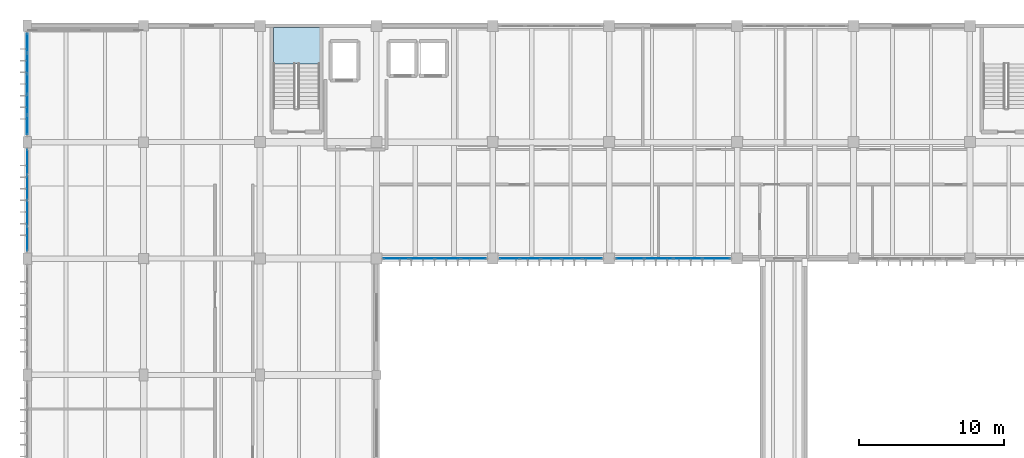
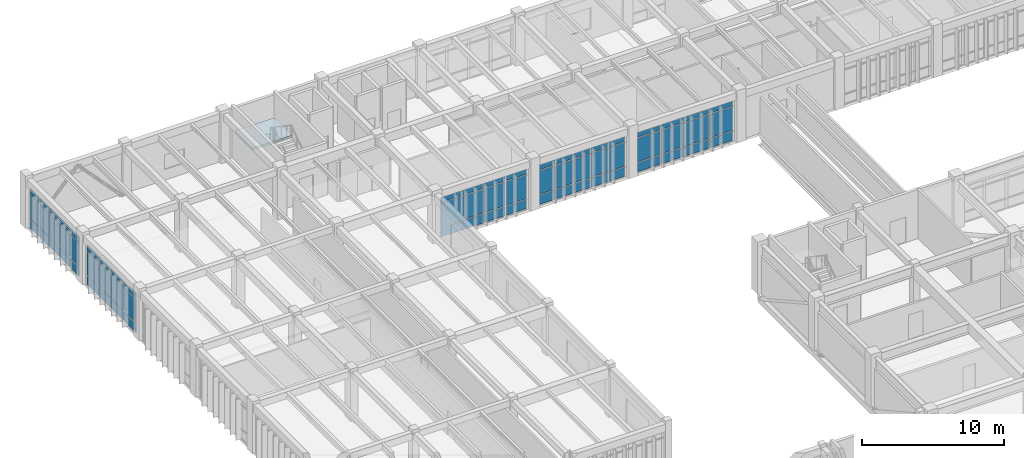
# One storey, part 40 of 79: 66 plates, 1 slab, 6 elements without a shape of their own.
"""IFC4 building model written with IfcOpenShell, lengths in metres."""

from ifc_helpers import new_model, si_unit, direction, frame, origin, origin_2d, place, context, subcontext, project, spatial, polyline, rectangle, outline, extrude, material, layer, layer_set, type_object, element, aggregate, save


model = new_model("IFC4")

# Units and contexts
model_context = context("Model", 3, precision=1e-05, world=origin(), true_north=direction((0.0, 1.0)))
body_context = subcontext(model_context, "Body", "Model", "MODEL_VIEW")
ifc_project = project(units=[si_unit("LENGTHUNIT", "METRE"), si_unit("AREAUNIT", "SQUARE_METRE"), si_unit("VOLUMEUNIT", "CUBIC_METRE"), si_unit("PLANEANGLEUNIT", "RADIAN"), si_unit("MASSUNIT", "GRAM", prefix="KILO")], contexts=[model_context])

# Site, building, storey
site_placement = place(None, origin())
site = spatial("IfcSite", under=ifc_project, at=site_placement, CompositionType="ELEMENT")
building_placement = place(site_placement, origin())
building = spatial("IfcBuilding", under=site, at=building_placement, Name="Tlaxcora Railside Police Headquarters", CompositionType="ELEMENT")
storey_placement = place(building_placement, frame((0.0, 0.0, 9.0)))
storey = spatial("IfcBuildingStorey", under=building, at=storey_placement, Name="L02", CompositionType="ELEMENT", Elevation=9.0)

# Curtain wall, plates
ifc_material_1 = material(Name="Thermally broken low-E insulated glazing", Category="glass")
curtain_wall_type_1 = type_object("IfcCurtainWallType", Name="Unitised Curtain Wall Assembly CW-23", PredefinedType="NOTDEFINED", material=ifc_material_1)
curtain_wall_1_placement = place(storey_placement, origin())
curtain_wall_1 = element("IfcCurtainWall", 1, at=curtain_wall_1_placement, inside=storey, type_object=curtain_wall_type_1, Name="V5 L02 curtain wall 64", PredefinedType="NOTDEFINED")
ifc_layer_1 = layer(ifc_material_1, 0.0400390625, Name="Thermally broken low-E insulated glazing")
ifc_layer_set_1 = layer_set([ifc_layer_1], Name="Thermally broken low-E insulated glazing")
plate_type_1 = type_object("IfcPlateType", Name="Curtain Wall Infill Panel CW-17", PredefinedType="CURTAIN_PANEL", material=ifc_layer_set_1)
plate_1_placement = place(storey_placement, frame((5.199951171875, 91.6201171875, 0.080078125), z_axis=(0.0, 0.0, 1.0), x_axis=(0.0, -1.0, 0.0)))
plate_1 = element("IfcPlate", 2, at=plate_1_placement, type_object=plate_type_1, Name="CW panel 1.1", PredefinedType="CURTAIN_PANEL", context=body_context, shape_type="SweptSolid", body=[
    extrude(rectangle(XDim=1.300048828125, YDim=0.0400390625, at=origin_2d()), origin(), (0.0, 0.0, 1.0), 0.780029296875),
])
plate_2_placement = place(storey_placement, frame((5.199951171875, 91.6201171875, 0.93994140625), z_axis=(0.0, 0.0, 1.0), x_axis=(0.0, -1.0, 0.0)))
plate_2 = element("IfcPlate", 3, at=plate_2_placement, type_object=plate_type_1, Name="CW panel 1.2", PredefinedType="CURTAIN_PANEL", context=body_context, shape_type="SweptSolid", body=[
    extrude(rectangle(XDim=1.300048828125, YDim=0.0400390625, at=origin_2d()), origin(), (0.0, 0.0, 1.0), 2.0400390625),
])
plate_3_placement = place(storey_placement, frame((5.199951171875, 91.6201171875, 3.06005859375), z_axis=(0.0, 0.0, 1.0), x_axis=(0.0, -1.0, 0.0)))
plate_3 = element("IfcPlate", 4, at=plate_3_placement, type_object=plate_type_1, Name="CW panel 1.3", PredefinedType="CURTAIN_PANEL", context=body_context, shape_type="SweptSolid", body=[
    extrude(rectangle(XDim=1.300048828125, YDim=0.0400390625, at=origin_2d()), origin(), (0.0, 0.0, 1.0), 0.409912109375),
])
plate_4_placement = place(storey_placement, frame((5.199951171875, 90.219970703125, 0.080078125), z_axis=(0.0, 0.0, 1.0), x_axis=(0.0, -1.0, 0.0)))
plate_4 = element("IfcPlate", 5, at=plate_4_placement, type_object=plate_type_1, Name="CW panel 2.1", PredefinedType="CURTAIN_PANEL", context=body_context, shape_type="SweptSolid", body=[
    extrude(rectangle(XDim=1.340087890625, YDim=0.0400390625, at=origin_2d()), origin(), (0.0, 0.0, 1.0), 0.780029296875),
])
plate_5_placement = place(storey_placement, frame((5.199951171875, 90.219970703125, 0.93994140625), z_axis=(0.0, 0.0, 1.0), x_axis=(0.0, -1.0, 0.0)))
plate_5 = element("IfcPlate", 6, at=plate_5_placement, type_object=plate_type_1, Name="CW panel 2.2", PredefinedType="CURTAIN_PANEL", context=body_context, shape_type="SweptSolid", body=[
    extrude(rectangle(XDim=1.340087890625, YDim=0.0400390625, at=origin_2d()), origin(), (0.0, 0.0, 1.0), 2.0400390625),
])
plate_6_placement = place(storey_placement, frame((5.199951171875, 90.219970703125, 3.06005859375), z_axis=(0.0, 0.0, 1.0), x_axis=(0.0, -1.0, 0.0)))
plate_6 = element("IfcPlate", 7, at=plate_6_placement, type_object=plate_type_1, Name="CW panel 2.3", PredefinedType="CURTAIN_PANEL", context=body_context, shape_type="SweptSolid", body=[
    extrude(rectangle(XDim=1.340087890625, YDim=0.0400390625, at=origin_2d()), origin(), (0.0, 0.0, 1.0), 0.409912109375),
])
plate_7_placement = place(storey_placement, frame((5.199951171875, 88.800048828125, 0.080078125), z_axis=(0.0, 0.0, 1.0), x_axis=(0.0, -1.0, 0.0)))
plate_7 = element("IfcPlate", 8, at=plate_7_placement, type_object=plate_type_1, Name="CW panel 3.1", PredefinedType="CURTAIN_PANEL", context=body_context, shape_type="SweptSolid", body=[
    extrude(rectangle(XDim=1.340087890625, YDim=0.0400390625, at=origin_2d()), origin(), (0.0, 0.0, 1.0), 0.780029296875),
])
plate_8_placement = place(storey_placement, frame((5.199951171875, 88.800048828125, 0.93994140625), z_axis=(0.0, 0.0, 1.0), x_axis=(0.0, -1.0, 0.0)))
plate_8 = element("IfcPlate", 9, at=plate_8_placement, type_object=plate_type_1, Name="CW panel 3.2", PredefinedType="CURTAIN_PANEL", context=body_context, shape_type="SweptSolid", body=[
    extrude(rectangle(XDim=1.340087890625, YDim=0.0400390625, at=origin_2d()), origin(), (0.0, 0.0, 1.0), 2.0400390625),
])
plate_9_placement = place(storey_placement, frame((5.199951171875, 88.800048828125, 3.06005859375), z_axis=(0.0, 0.0, 1.0), x_axis=(0.0, -1.0, 0.0)))
plate_9 = element("IfcPlate", 10, at=plate_9_placement, type_object=plate_type_1, Name="CW panel 3.3", PredefinedType="CURTAIN_PANEL", context=body_context, shape_type="SweptSolid", body=[
    extrude(rectangle(XDim=1.340087890625, YDim=0.0400390625, at=origin_2d()), origin(), (0.0, 0.0, 1.0), 0.409912109375),
])
plate_10_placement = place(storey_placement, frame((5.199951171875, 87.3798828125, 0.080078125), z_axis=(0.0, 0.0, 1.0), x_axis=(0.0, -1.0, 0.0)))
plate_10 = element("IfcPlate", 11, at=plate_10_placement, type_object=plate_type_1, Name="CW panel 4.1", PredefinedType="CURTAIN_PANEL", context=body_context, shape_type="SweptSolid", body=[
    extrude(rectangle(XDim=1.340087890625, YDim=0.0400390625, at=origin_2d()), origin(), (0.0, 0.0, 1.0), 0.780029296875),
])
plate_11_placement = place(storey_placement, frame((5.199951171875, 87.3798828125, 0.93994140625), z_axis=(0.0, 0.0, 1.0), x_axis=(0.0, -1.0, 0.0)))
plate_11 = element("IfcPlate", 12, at=plate_11_placement, type_object=plate_type_1, Name="CW panel 4.2", PredefinedType="CURTAIN_PANEL", context=body_context, shape_type="SweptSolid", body=[
    extrude(rectangle(XDim=1.340087890625, YDim=0.0400390625, at=origin_2d()), origin(), (0.0, 0.0, 1.0), 2.0400390625),
])
plate_12_placement = place(storey_placement, frame((5.199951171875, 87.3798828125, 3.06005859375), z_axis=(0.0, 0.0, 1.0), x_axis=(0.0, -1.0, 0.0)))
plate_12 = element("IfcPlate", 13, at=plate_12_placement, type_object=plate_type_1, Name="CW panel 4.3", PredefinedType="CURTAIN_PANEL", context=body_context, shape_type="SweptSolid", body=[
    extrude(rectangle(XDim=1.340087890625, YDim=0.0400390625, at=origin_2d()), origin(), (0.0, 0.0, 1.0), 0.409912109375),
])
plate_13_placement = place(storey_placement, frame((5.199951171875, 85.97998046875, 0.080078125), z_axis=(0.0, 0.0, 1.0), x_axis=(0.0, -1.0, 0.0)))
plate_13 = element("IfcPlate", 14, at=plate_13_placement, type_object=plate_type_1, Name="CW panel 5.1", PredefinedType="CURTAIN_PANEL", context=body_context, shape_type="SweptSolid", body=[
    extrude(rectangle(XDim=1.300048828125, YDim=0.0400390625, at=origin_2d()), origin(), (0.0, 0.0, 1.0), 0.780029296875),
])
plate_14_placement = place(storey_placement, frame((5.199951171875, 85.97998046875, 0.93994140625), z_axis=(0.0, 0.0, 1.0), x_axis=(0.0, -1.0, 0.0)))
plate_14 = element("IfcPlate", 15, at=plate_14_placement, type_object=plate_type_1, Name="CW panel 5.2", PredefinedType="CURTAIN_PANEL", context=body_context, shape_type="SweptSolid", body=[
    extrude(rectangle(XDim=1.300048828125, YDim=0.0400390625, at=origin_2d()), origin(), (0.0, 0.0, 1.0), 2.0400390625),
])
plate_15_placement = place(storey_placement, frame((5.199951171875, 85.97998046875, 3.06005859375), z_axis=(0.0, 0.0, 1.0), x_axis=(0.0, -1.0, 0.0)))
plate_15 = element("IfcPlate", 16, at=plate_15_placement, type_object=plate_type_1, Name="CW panel 5.3", PredefinedType="CURTAIN_PANEL", context=body_context, shape_type="SweptSolid", body=[
    extrude(rectangle(XDim=1.300048828125, YDim=0.0400390625, at=origin_2d()), origin(), (0.0, 0.0, 1.0), 0.409912109375),
])
aggregate(curtain_wall_1, [plate_1, plate_2, plate_3, plate_4, plate_5, plate_6, plate_7, plate_8, plate_9, plate_10, plate_11, plate_12, plate_13, plate_14, plate_15])

curtain_wall_type_2 = type_object("IfcCurtainWallType", Name="Unitised Curtain Wall Assembly CW-15", PredefinedType="NOTDEFINED", material=ifc_material_1)
curtain_wall_2_placement = place(storey_placement, origin())
curtain_wall_2 = element("IfcCurtainWall", 17, at=curtain_wall_2_placement, inside=storey, type_object=curtain_wall_type_2, Name="V5 L02 curtain wall 54", PredefinedType="NOTDEFINED")
ifc_layer_2 = layer(ifc_material_1, 0.031982421875, Name="Thermally broken low-E insulated glazing")
ifc_layer_set_2 = layer_set([ifc_layer_2], Name="Thermally broken low-E insulated glazing")
plate_type_2 = type_object("IfcPlateType", Name="Curtain Wall Infill Panel CW-41", PredefinedType="CURTAIN_PANEL", material=ifc_layer_set_2)
plate_16_placement = place(storey_placement, frame((38.358642578125, 76.800048828125, 0.074951171875), z_axis=(0.0, 0.0, 1.0), x_axis=(1.0, 0.0, 0.0)))
plate_16 = element("IfcPlate", 18, at=plate_16_placement, type_object=plate_type_2, Name="CW panel 1.1", PredefinedType="CURTAIN_PANEL", context=body_context, shape_type="SweptSolid", body=[
    extrude(rectangle(XDim=1.3173828125, YDim=0.031982421875, at=origin_2d()), origin(), (0.0, 0.0, 1.0), 0.78759765625),
])
plate_17_placement = place(storey_placement, frame((38.358642578125, 76.800048828125, 0.9375), z_axis=(0.0, 0.0, 1.0), x_axis=(1.0, 0.0, 0.0)))
plate_17 = element("IfcPlate", 19, at=plate_17_placement, type_object=plate_type_2, Name="CW panel 1.2", PredefinedType="CURTAIN_PANEL", context=body_context, shape_type="SweptSolid", body=[
    extrude(rectangle(XDim=1.3173828125, YDim=0.031982421875, at=origin_2d()), origin(), (0.0, 0.0, 1.0), 2.044921875),
])
plate_18_placement = place(storey_placement, frame((38.358642578125, 76.800048828125, 3.0576171875), z_axis=(0.0, 0.0, 1.0), x_axis=(1.0, 0.0, 0.0)))
plate_18 = element("IfcPlate", 20, at=plate_18_placement, type_object=plate_type_2, Name="CW panel 1.3", PredefinedType="CURTAIN_PANEL", context=body_context, shape_type="SweptSolid", body=[
    extrude(rectangle(XDim=1.3173828125, YDim=0.031982421875, at=origin_2d()), origin(), (0.0, 0.0, 1.0), 0.41748046875),
])
plate_19_placement = place(storey_placement, frame((39.77001953125, 76.800048828125, 0.074951171875), z_axis=(0.0, 0.0, 1.0), x_axis=(1.0, 0.0, 0.0)))
plate_19 = element("IfcPlate", 21, at=plate_19_placement, type_object=plate_type_2, Name="CW panel 2.1", PredefinedType="CURTAIN_PANEL", context=body_context, shape_type="SweptSolid", body=[
    extrude(rectangle(XDim=1.35498046875, YDim=0.031982421875, at=origin_2d()), origin(), (0.0, 0.0, 1.0), 0.78759765625),
])
plate_20_placement = place(storey_placement, frame((39.77001953125, 76.800048828125, 0.9375), z_axis=(0.0, 0.0, 1.0), x_axis=(1.0, 0.0, 0.0)))
plate_20 = element("IfcPlate", 22, at=plate_20_placement, type_object=plate_type_2, Name="CW panel 2.2", PredefinedType="CURTAIN_PANEL", context=body_context, shape_type="SweptSolid", body=[
    extrude(rectangle(XDim=1.35498046875, YDim=0.031982421875, at=origin_2d()), origin(), (0.0, 0.0, 1.0), 2.044921875),
])
plate_21_placement = place(storey_placement, frame((39.77001953125, 76.800048828125, 3.0576171875), z_axis=(0.0, 0.0, 1.0), x_axis=(1.0, 0.0, 0.0)))
plate_21 = element("IfcPlate", 23, at=plate_21_placement, type_object=plate_type_2, Name="CW panel 2.3", PredefinedType="CURTAIN_PANEL", context=body_context, shape_type="SweptSolid", body=[
    extrude(rectangle(XDim=1.35498046875, YDim=0.031982421875, at=origin_2d()), origin(), (0.0, 0.0, 1.0), 0.41748046875),
])
plate_22_placement = place(storey_placement, frame((41.199951171875, 76.800048828125, 0.074951171875), z_axis=(0.0, 0.0, 1.0), x_axis=(1.0, 0.0, 0.0)))
plate_22 = element("IfcPlate", 24, at=plate_22_placement, type_object=plate_type_2, Name="CW panel 3.1", PredefinedType="CURTAIN_PANEL", context=body_context, shape_type="SweptSolid", body=[
    extrude(rectangle(XDim=1.35498046875, YDim=0.031982421875, at=origin_2d()), origin(), (0.0, 0.0, 1.0), 0.78759765625),
])
plate_23_placement = place(storey_placement, frame((41.199951171875, 76.800048828125, 0.9375), z_axis=(0.0, 0.0, 1.0), x_axis=(1.0, 0.0, 0.0)))
plate_23 = element("IfcPlate", 25, at=plate_23_placement, type_object=plate_type_2, Name="CW panel 3.2", PredefinedType="CURTAIN_PANEL", context=body_context, shape_type="SweptSolid", body=[
    extrude(rectangle(XDim=1.35498046875, YDim=0.031982421875, at=origin_2d()), origin(), (0.0, 0.0, 1.0), 2.044921875),
])
plate_24_placement = place(storey_placement, frame((41.199951171875, 76.800048828125, 3.0576171875), z_axis=(0.0, 0.0, 1.0), x_axis=(1.0, 0.0, 0.0)))
plate_24 = element("IfcPlate", 26, at=plate_24_placement, type_object=plate_type_2, Name="CW panel 3.3", PredefinedType="CURTAIN_PANEL", context=body_context, shape_type="SweptSolid", body=[
    extrude(rectangle(XDim=1.35498046875, YDim=0.031982421875, at=origin_2d()), origin(), (0.0, 0.0, 1.0), 0.41748046875),
])
plate_25_placement = place(storey_placement, frame((42.6298828125, 76.800048828125, 0.074951171875), z_axis=(0.0, 0.0, 1.0), x_axis=(1.0, 0.0, 0.0)))
plate_25 = element("IfcPlate", 27, at=plate_25_placement, type_object=plate_type_2, Name="CW panel 4.1", PredefinedType="CURTAIN_PANEL", context=body_context, shape_type="SweptSolid", body=[
    extrude(rectangle(XDim=1.35498046875, YDim=0.031982421875, at=origin_2d()), origin(), (0.0, 0.0, 1.0), 0.78759765625),
])
plate_26_placement = place(storey_placement, frame((42.6298828125, 76.800048828125, 0.9375), z_axis=(0.0, 0.0, 1.0), x_axis=(1.0, 0.0, 0.0)))
plate_26 = element("IfcPlate", 28, at=plate_26_placement, type_object=plate_type_2, Name="CW panel 4.2", PredefinedType="CURTAIN_PANEL", context=body_context, shape_type="SweptSolid", body=[
    extrude(rectangle(XDim=1.35498046875, YDim=0.031982421875, at=origin_2d()), origin(), (0.0, 0.0, 1.0), 2.044921875),
])
plate_27_placement = place(storey_placement, frame((42.6298828125, 76.800048828125, 3.0576171875), z_axis=(0.0, 0.0, 1.0), x_axis=(1.0, 0.0, 0.0)))
plate_27 = element("IfcPlate", 29, at=plate_27_placement, type_object=plate_type_2, Name="CW panel 4.3", PredefinedType="CURTAIN_PANEL", context=body_context, shape_type="SweptSolid", body=[
    extrude(rectangle(XDim=1.35498046875, YDim=0.031982421875, at=origin_2d()), origin(), (0.0, 0.0, 1.0), 0.41748046875),
])
plate_28_placement = place(storey_placement, frame((44.041259765625, 76.800048828125, 0.074951171875), z_axis=(0.0, 0.0, 1.0), x_axis=(1.0, 0.0, 0.0)))
plate_28 = element("IfcPlate", 30, at=plate_28_placement, type_object=plate_type_2, Name="CW panel 5.1", PredefinedType="CURTAIN_PANEL", context=body_context, shape_type="SweptSolid", body=[
    extrude(rectangle(XDim=1.3173828125, YDim=0.031982421875, at=origin_2d()), origin(), (0.0, 0.0, 1.0), 0.78759765625),
])
plate_29_placement = place(storey_placement, frame((44.041259765625, 76.800048828125, 0.9375), z_axis=(0.0, 0.0, 1.0), x_axis=(1.0, 0.0, 0.0)))
plate_29 = element("IfcPlate", 31, at=plate_29_placement, type_object=plate_type_2, Name="CW panel 5.2", PredefinedType="CURTAIN_PANEL", context=body_context, shape_type="SweptSolid", body=[
    extrude(rectangle(XDim=1.3173828125, YDim=0.031982421875, at=origin_2d()), origin(), (0.0, 0.0, 1.0), 2.044921875),
])
plate_30_placement = place(storey_placement, frame((44.041259765625, 76.800048828125, 3.0576171875), z_axis=(0.0, 0.0, 1.0), x_axis=(1.0, 0.0, 0.0)))
plate_30 = element("IfcPlate", 32, at=plate_30_placement, type_object=plate_type_2, Name="CW panel 5.3", PredefinedType="CURTAIN_PANEL", context=body_context, shape_type="SweptSolid", body=[
    extrude(rectangle(XDim=1.3173828125, YDim=0.031982421875, at=origin_2d()), origin(), (0.0, 0.0, 1.0), 0.41748046875),
])
aggregate(curtain_wall_2, [plate_16, plate_17, plate_18, plate_19, plate_20, plate_21, plate_22, plate_23, plate_24, plate_25, plate_26, plate_27, plate_28, plate_29, plate_30])

curtain_wall_type_3 = type_object("IfcCurtainWallType", Name="Unitised Curtain Wall Assembly CW-83", PredefinedType="NOTDEFINED", material=ifc_material_1)
curtain_wall_3_placement = place(storey_placement, origin())
curtain_wall_3 = element("IfcCurtainWall", 33, at=curtain_wall_3_placement, inside=storey, type_object=curtain_wall_type_3, Name="V5 L02 curtain wall 55", PredefinedType="NOTDEFINED")
ifc_layer_3 = layer(ifc_material_1, 0.035888671875, Name="Thermally broken low-E insulated glazing")
ifc_layer_set_3 = layer_set([ifc_layer_3], Name="Thermally broken low-E insulated glazing")
plate_type_3 = type_object("IfcPlateType", Name="Curtain Wall Infill Panel CW-72", PredefinedType="CURTAIN_PANEL", material=ifc_layer_set_3)
plate_31_placement = place(storey_placement, frame((46.638671875, 76.800048828125, 0.080078125), z_axis=(0.0, 0.0, 1.0), x_axis=(1.0, 0.0, 0.0)))
plate_31 = element("IfcPlate", 34, at=plate_31_placement, type_object=plate_type_3, Name="CW panel 1.1", PredefinedType="CURTAIN_PANEL", context=body_context, shape_type="SweptSolid", body=[
    extrude(rectangle(XDim=1.867431640625, YDim=0.035888671875, at=origin_2d()), origin(), (0.0, 0.0, 1.0), 0.780029296875),
])
plate_32_placement = place(storey_placement, frame((46.638671875, 76.800048828125, 0.93994140625), z_axis=(0.0, 0.0, 1.0), x_axis=(1.0, 0.0, 0.0)))
plate_32 = element("IfcPlate", 35, at=plate_32_placement, type_object=plate_type_3, Name="CW panel 1.2", PredefinedType="CURTAIN_PANEL", context=body_context, shape_type="SweptSolid", body=[
    extrude(rectangle(XDim=1.867431640625, YDim=0.035888671875, at=origin_2d()), origin(), (0.0, 0.0, 1.0), 2.0400390625),
])
plate_33_placement = place(storey_placement, frame((46.638671875, 76.800048828125, 3.06005859375), z_axis=(0.0, 0.0, 1.0), x_axis=(1.0, 0.0, 0.0)))
plate_33 = element("IfcPlate", 36, at=plate_33_placement, type_object=plate_type_3, Name="CW panel 1.3", PredefinedType="CURTAIN_PANEL", context=body_context, shape_type="SweptSolid", body=[
    extrude(rectangle(XDim=1.867431640625, YDim=0.035888671875, at=origin_2d()), origin(), (0.0, 0.0, 1.0), 0.409912109375),
])
plate_34_placement = place(storey_placement, frame((48.606201171875, 76.800048828125, 0.080078125), z_axis=(0.0, 0.0, 1.0), x_axis=(1.0, 0.0, 0.0)))
plate_34 = element("IfcPlate", 37, at=plate_34_placement, type_object=plate_type_3, Name="CW panel 2.1", PredefinedType="CURTAIN_PANEL", context=body_context, shape_type="SweptSolid", body=[
    extrude(rectangle(XDim=1.907470703125, YDim=0.035888671875, at=origin_2d()), origin(), (0.0, 0.0, 1.0), 0.780029296875),
])
plate_35_placement = place(storey_placement, frame((48.606201171875, 76.800048828125, 0.93994140625), z_axis=(0.0, 0.0, 1.0), x_axis=(1.0, 0.0, 0.0)))
plate_35 = element("IfcPlate", 38, at=plate_35_placement, type_object=plate_type_3, Name="CW panel 2.2", PredefinedType="CURTAIN_PANEL", context=body_context, shape_type="SweptSolid", body=[
    extrude(rectangle(XDim=1.907470703125, YDim=0.035888671875, at=origin_2d()), origin(), (0.0, 0.0, 1.0), 2.0400390625),
])
plate_36_placement = place(storey_placement, frame((48.606201171875, 76.800048828125, 3.06005859375), z_axis=(0.0, 0.0, 1.0), x_axis=(1.0, 0.0, 0.0)))
plate_36 = element("IfcPlate", 39, at=plate_36_placement, type_object=plate_type_3, Name="CW panel 2.3", PredefinedType="CURTAIN_PANEL", context=body_context, shape_type="SweptSolid", body=[
    extrude(rectangle(XDim=1.907470703125, YDim=0.035888671875, at=origin_2d()), origin(), (0.0, 0.0, 1.0), 0.409912109375),
])
plate_37_placement = place(storey_placement, frame((50.59375, 76.800048828125, 0.080078125), z_axis=(0.0, 0.0, 1.0), x_axis=(1.0, 0.0, 0.0)))
plate_37 = element("IfcPlate", 40, at=plate_37_placement, type_object=plate_type_3, Name="CW panel 3.1", PredefinedType="CURTAIN_PANEL", context=body_context, shape_type="SweptSolid", body=[
    extrude(rectangle(XDim=1.907470703125, YDim=0.035888671875, at=origin_2d()), origin(), (0.0, 0.0, 1.0), 0.780029296875),
])
plate_38_placement = place(storey_placement, frame((50.59375, 76.800048828125, 0.93994140625), z_axis=(0.0, 0.0, 1.0), x_axis=(1.0, 0.0, 0.0)))
plate_38 = element("IfcPlate", 41, at=plate_38_placement, type_object=plate_type_3, Name="CW panel 3.2", PredefinedType="CURTAIN_PANEL", context=body_context, shape_type="SweptSolid", body=[
    extrude(rectangle(XDim=1.907470703125, YDim=0.035888671875, at=origin_2d()), origin(), (0.0, 0.0, 1.0), 2.0400390625),
])
plate_39_placement = place(storey_placement, frame((50.59375, 76.800048828125, 3.06005859375), z_axis=(0.0, 0.0, 1.0), x_axis=(1.0, 0.0, 0.0)))
plate_39 = element("IfcPlate", 42, at=plate_39_placement, type_object=plate_type_3, Name="CW panel 3.3", PredefinedType="CURTAIN_PANEL", context=body_context, shape_type="SweptSolid", body=[
    extrude(rectangle(XDim=1.907470703125, YDim=0.035888671875, at=origin_2d()), origin(), (0.0, 0.0, 1.0), 0.409912109375),
])
plate_40_placement = place(storey_placement, frame((52.561279296875, 76.800048828125, 0.080078125), z_axis=(0.0, 0.0, 1.0), x_axis=(1.0, 0.0, 0.0)))
plate_40 = element("IfcPlate", 43, at=plate_40_placement, type_object=plate_type_3, Name="CW panel 4.1", PredefinedType="CURTAIN_PANEL", context=body_context, shape_type="SweptSolid", body=[
    extrude(rectangle(XDim=1.867431640625, YDim=0.035888671875, at=origin_2d()), origin(), (0.0, 0.0, 1.0), 0.780029296875),
])
plate_41_placement = place(storey_placement, frame((52.561279296875, 76.800048828125, 0.93994140625), z_axis=(0.0, 0.0, 1.0), x_axis=(1.0, 0.0, 0.0)))
plate_41 = element("IfcPlate", 44, at=plate_41_placement, type_object=plate_type_3, Name="CW panel 4.2", PredefinedType="CURTAIN_PANEL", context=body_context, shape_type="SweptSolid", body=[
    extrude(rectangle(XDim=1.867431640625, YDim=0.035888671875, at=origin_2d()), origin(), (0.0, 0.0, 1.0), 2.0400390625),
])
plate_42_placement = place(storey_placement, frame((52.561279296875, 76.800048828125, 3.06005859375), z_axis=(0.0, 0.0, 1.0), x_axis=(1.0, 0.0, 0.0)))
plate_42 = element("IfcPlate", 45, at=plate_42_placement, type_object=plate_type_3, Name="CW panel 4.3", PredefinedType="CURTAIN_PANEL", context=body_context, shape_type="SweptSolid", body=[
    extrude(rectangle(XDim=1.867431640625, YDim=0.035888671875, at=origin_2d()), origin(), (0.0, 0.0, 1.0), 0.409912109375),
])
aggregate(curtain_wall_3, [plate_31, plate_32, plate_33, plate_34, plate_35, plate_36, plate_37, plate_38, plate_39, plate_40, plate_41, plate_42])

curtain_wall_type_4 = type_object("IfcCurtainWallType", Name="Unitised Curtain Wall Assembly CW-38", PredefinedType="NOTDEFINED", material=ifc_material_1)
curtain_wall_4_placement = place(storey_placement, origin())
curtain_wall_4 = element("IfcCurtainWall", 46, at=curtain_wall_4_placement, inside=storey, type_object=curtain_wall_type_4, Name="V5 L02 curtain wall 53", PredefinedType="NOTDEFINED")
ifc_layer_4 = layer(ifc_material_1, 0.028076171875, Name="Thermally broken low-E insulated glazing")
ifc_layer_set_4 = layer_set([ifc_layer_4], Name="Thermally broken low-E insulated glazing")
plate_type_4 = type_object("IfcPlateType", Name="Curtain Wall Infill Panel CW-92", PredefinedType="CURTAIN_PANEL", material=ifc_layer_set_4)
plate_43_placement = place(storey_placement, frame((30.53759765625, 76.800048828125, 0.074951171875), z_axis=(0.0, 0.0, 1.0), x_axis=(1.0, 0.0, 0.0)))
plate_43 = element("IfcPlate", 47, at=plate_43_placement, type_object=plate_type_4, Name="CW panel 1.1", PredefinedType="CURTAIN_PANEL", context=body_context, shape_type="SweptSolid", body=[
    extrude(rectangle(XDim=1.675048828125, YDim=0.028076171875, at=origin_2d()), origin(), (0.0, 0.0, 1.0), 0.78759765625),
])
plate_44_placement = place(storey_placement, frame((30.53759765625, 76.800048828125, 0.9375), z_axis=(0.0, 0.0, 1.0), x_axis=(1.0, 0.0, 0.0)))
plate_44 = element("IfcPlate", 48, at=plate_44_placement, type_object=plate_type_4, Name="CW panel 1.2", PredefinedType="CURTAIN_PANEL", context=body_context, shape_type="SweptSolid", body=[
    extrude(rectangle(XDim=1.675048828125, YDim=0.028076171875, at=origin_2d()), origin(), (0.0, 0.0, 1.0), 2.044921875),
])
plate_45_placement = place(storey_placement, frame((30.53759765625, 76.800048828125, 3.0576171875), z_axis=(0.0, 0.0, 1.0), x_axis=(1.0, 0.0, 0.0)))
plate_45 = element("IfcPlate", 49, at=plate_45_placement, type_object=plate_type_4, Name="CW panel 1.3", PredefinedType="CURTAIN_PANEL", context=body_context, shape_type="SweptSolid", body=[
    extrude(rectangle(XDim=1.675048828125, YDim=0.028076171875, at=origin_2d()), origin(), (0.0, 0.0, 1.0), 0.41748046875),
])
plate_46_placement = place(storey_placement, frame((32.30615234375, 76.800048828125, 0.074951171875), z_axis=(0.0, 0.0, 1.0), x_axis=(1.0, 0.0, 0.0)))
plate_46 = element("IfcPlate", 50, at=plate_46_placement, type_object=plate_type_4, Name="CW panel 2.1", PredefinedType="CURTAIN_PANEL", context=body_context, shape_type="SweptSolid", body=[
    extrude(rectangle(XDim=1.71240234375, YDim=0.028076171875, at=origin_2d()), origin(), (0.0, 0.0, 1.0), 0.78759765625),
])
plate_47_placement = place(storey_placement, frame((32.30615234375, 76.800048828125, 0.9375), z_axis=(0.0, 0.0, 1.0), x_axis=(1.0, 0.0, 0.0)))
plate_47 = element("IfcPlate", 51, at=plate_47_placement, type_object=plate_type_4, Name="CW panel 2.2", PredefinedType="CURTAIN_PANEL", context=body_context, shape_type="SweptSolid", body=[
    extrude(rectangle(XDim=1.71240234375, YDim=0.028076171875, at=origin_2d()), origin(), (0.0, 0.0, 1.0), 2.044921875),
])
plate_48_placement = place(storey_placement, frame((32.30615234375, 76.800048828125, 3.0576171875), z_axis=(0.0, 0.0, 1.0), x_axis=(1.0, 0.0, 0.0)))
plate_48 = element("IfcPlate", 52, at=plate_48_placement, type_object=plate_type_4, Name="CW panel 2.3", PredefinedType="CURTAIN_PANEL", context=body_context, shape_type="SweptSolid", body=[
    extrude(rectangle(XDim=1.71240234375, YDim=0.028076171875, at=origin_2d()), origin(), (0.0, 0.0, 1.0), 0.41748046875),
])
plate_49_placement = place(storey_placement, frame((34.09375, 76.800048828125, 0.074951171875), z_axis=(0.0, 0.0, 1.0), x_axis=(1.0, 0.0, 0.0)))
plate_49 = element("IfcPlate", 53, at=plate_49_placement, type_object=plate_type_4, Name="CW panel 3.1", PredefinedType="CURTAIN_PANEL", context=body_context, shape_type="SweptSolid", body=[
    extrude(rectangle(XDim=1.71240234375, YDim=0.028076171875, at=origin_2d()), origin(), (0.0, 0.0, 1.0), 0.78759765625),
])
plate_50_placement = place(storey_placement, frame((34.09375, 76.800048828125, 0.9375), z_axis=(0.0, 0.0, 1.0), x_axis=(1.0, 0.0, 0.0)))
plate_50 = element("IfcPlate", 54, at=plate_50_placement, type_object=plate_type_4, Name="CW panel 3.2", PredefinedType="CURTAIN_PANEL", context=body_context, shape_type="SweptSolid", body=[
    extrude(rectangle(XDim=1.71240234375, YDim=0.028076171875, at=origin_2d()), origin(), (0.0, 0.0, 1.0), 2.044921875),
])
plate_51_placement = place(storey_placement, frame((34.09375, 76.800048828125, 3.0576171875), z_axis=(0.0, 0.0, 1.0), x_axis=(1.0, 0.0, 0.0)))
plate_51 = element("IfcPlate", 55, at=plate_51_placement, type_object=plate_type_4, Name="CW panel 3.3", PredefinedType="CURTAIN_PANEL", context=body_context, shape_type="SweptSolid", body=[
    extrude(rectangle(XDim=1.71240234375, YDim=0.028076171875, at=origin_2d()), origin(), (0.0, 0.0, 1.0), 0.41748046875),
])
plate_52_placement = place(storey_placement, frame((35.862548828125, 76.800048828125, 0.074951171875), z_axis=(0.0, 0.0, 1.0), x_axis=(1.0, 0.0, 0.0)))
plate_52 = element("IfcPlate", 56, at=plate_52_placement, type_object=plate_type_4, Name="CW panel 4.1", PredefinedType="CURTAIN_PANEL", context=body_context, shape_type="SweptSolid", body=[
    extrude(rectangle(XDim=1.675048828125, YDim=0.028076171875, at=origin_2d()), origin(), (0.0, 0.0, 1.0), 0.78759765625),
])
plate_53_placement = place(storey_placement, frame((35.862548828125, 76.800048828125, 0.9375), z_axis=(0.0, 0.0, 1.0), x_axis=(1.0, 0.0, 0.0)))
plate_53 = element("IfcPlate", 57, at=plate_53_placement, type_object=plate_type_4, Name="CW panel 4.2", PredefinedType="CURTAIN_PANEL", context=body_context, shape_type="SweptSolid", body=[
    extrude(rectangle(XDim=1.675048828125, YDim=0.028076171875, at=origin_2d()), origin(), (0.0, 0.0, 1.0), 2.044921875),
])
plate_54_placement = place(storey_placement, frame((35.862548828125, 76.800048828125, 3.0576171875), z_axis=(0.0, 0.0, 1.0), x_axis=(1.0, 0.0, 0.0)))
plate_54 = element("IfcPlate", 58, at=plate_54_placement, type_object=plate_type_4, Name="CW panel 4.3", PredefinedType="CURTAIN_PANEL", context=body_context, shape_type="SweptSolid", body=[
    extrude(rectangle(XDim=1.675048828125, YDim=0.028076171875, at=origin_2d()), origin(), (0.0, 0.0, 1.0), 0.41748046875),
])
aggregate(curtain_wall_4, [plate_43, plate_44, plate_45, plate_46, plate_47, plate_48, plate_49, plate_50, plate_51, plate_52, plate_53, plate_54])

curtain_wall_5_placement = place(storey_placement, origin())
curtain_wall_5 = element("IfcCurtainWall", 59, at=curtain_wall_5_placement, inside=storey, type_object=curtain_wall_type_4, Name="V5 L02 curtain wall 65", PredefinedType="NOTDEFINED")
plate_55_placement = place(storey_placement, frame((5.199951171875, 83.44384765625, 0.074951171875), z_axis=(0.0, 0.0, 1.0), x_axis=(0.0, -1.0, 0.0)))
plate_55 = element("IfcPlate", 60, at=plate_55_placement, type_object=plate_type_4, Name="CW panel 1.1", PredefinedType="CURTAIN_PANEL", context=body_context, shape_type="SweptSolid", body=[
    extrude(rectangle(XDim=1.66259765625, YDim=0.028076171875, at=origin_2d()), origin(), (0.0, 0.0, 1.0), 0.78759765625),
])
plate_56_placement = place(storey_placement, frame((5.199951171875, 83.44384765625, 0.9375), z_axis=(0.0, 0.0, 1.0), x_axis=(0.0, -1.0, 0.0)))
plate_56 = element("IfcPlate", 61, at=plate_56_placement, type_object=plate_type_4, Name="CW panel 1.2", PredefinedType="CURTAIN_PANEL", context=body_context, shape_type="SweptSolid", body=[
    extrude(rectangle(XDim=1.66259765625, YDim=0.028076171875, at=origin_2d()), origin(), (0.0, 0.0, 1.0), 2.044921875),
])
plate_57_placement = place(storey_placement, frame((5.199951171875, 83.44384765625, 3.0576171875), z_axis=(0.0, 0.0, 1.0), x_axis=(0.0, -1.0, 0.0)))
plate_57 = element("IfcPlate", 62, at=plate_57_placement, type_object=plate_type_4, Name="CW panel 1.3", PredefinedType="CURTAIN_PANEL", context=body_context, shape_type="SweptSolid", body=[
    extrude(rectangle(XDim=1.66259765625, YDim=0.028076171875, at=origin_2d()), origin(), (0.0, 0.0, 1.0), 0.41748046875),
])
plate_58_placement = place(storey_placement, frame((5.199951171875, 81.6875, 0.074951171875), z_axis=(0.0, 0.0, 1.0), x_axis=(0.0, -1.0, 0.0)))
plate_58 = element("IfcPlate", 63, at=plate_58_placement, type_object=plate_type_4, Name="CW panel 2.1", PredefinedType="CURTAIN_PANEL", context=body_context, shape_type="SweptSolid", body=[
    extrude(rectangle(XDim=1.699951171875, YDim=0.028076171875, at=origin_2d()), origin(), (0.0, 0.0, 1.0), 0.78759765625),
])
plate_59_placement = place(storey_placement, frame((5.199951171875, 81.6875, 0.9375), z_axis=(0.0, 0.0, 1.0), x_axis=(0.0, -1.0, 0.0)))
plate_59 = element("IfcPlate", 64, at=plate_59_placement, type_object=plate_type_4, Name="CW panel 2.2", PredefinedType="CURTAIN_PANEL", context=body_context, shape_type="SweptSolid", body=[
    extrude(rectangle(XDim=1.699951171875, YDim=0.028076171875, at=origin_2d()), origin(), (0.0, 0.0, 1.0), 2.044921875),
])
plate_60_placement = place(storey_placement, frame((5.199951171875, 81.6875, 3.0576171875), z_axis=(0.0, 0.0, 1.0), x_axis=(0.0, -1.0, 0.0)))
plate_60 = element("IfcPlate", 65, at=plate_60_placement, type_object=plate_type_4, Name="CW panel 2.3", PredefinedType="CURTAIN_PANEL", context=body_context, shape_type="SweptSolid", body=[
    extrude(rectangle(XDim=1.699951171875, YDim=0.028076171875, at=origin_2d()), origin(), (0.0, 0.0, 1.0), 0.41748046875),
])
plate_61_placement = place(storey_placement, frame((5.199951171875, 79.91259765625, 0.074951171875), z_axis=(0.0, 0.0, 1.0), x_axis=(0.0, -1.0, 0.0)))
plate_61 = element("IfcPlate", 66, at=plate_61_placement, type_object=plate_type_4, Name="CW panel 3.1", PredefinedType="CURTAIN_PANEL", context=body_context, shape_type="SweptSolid", body=[
    extrude(rectangle(XDim=1.699951171875, YDim=0.028076171875, at=origin_2d()), origin(), (0.0, 0.0, 1.0), 0.78759765625),
])
plate_62_placement = place(storey_placement, frame((5.199951171875, 79.91259765625, 0.9375), z_axis=(0.0, 0.0, 1.0), x_axis=(0.0, -1.0, 0.0)))
plate_62 = element("IfcPlate", 67, at=plate_62_placement, type_object=plate_type_4, Name="CW panel 3.2", PredefinedType="CURTAIN_PANEL", context=body_context, shape_type="SweptSolid", body=[
    extrude(rectangle(XDim=1.699951171875, YDim=0.028076171875, at=origin_2d()), origin(), (0.0, 0.0, 1.0), 2.044921875),
])
plate_63_placement = place(storey_placement, frame((5.199951171875, 79.91259765625, 3.0576171875), z_axis=(0.0, 0.0, 1.0), x_axis=(0.0, -1.0, 0.0)))
plate_63 = element("IfcPlate", 68, at=plate_63_placement, type_object=plate_type_4, Name="CW panel 3.3", PredefinedType="CURTAIN_PANEL", context=body_context, shape_type="SweptSolid", body=[
    extrude(rectangle(XDim=1.699951171875, YDim=0.028076171875, at=origin_2d()), origin(), (0.0, 0.0, 1.0), 0.41748046875),
])
plate_64_placement = place(storey_placement, frame((5.199951171875, 78.15625, 0.074951171875), z_axis=(0.0, 0.0, 1.0), x_axis=(0.0, -1.0, 0.0)))
plate_64 = element("IfcPlate", 69, at=plate_64_placement, type_object=plate_type_4, Name="CW panel 4.1", PredefinedType="CURTAIN_PANEL", context=body_context, shape_type="SweptSolid", body=[
    extrude(rectangle(XDim=1.66259765625, YDim=0.028076171875, at=origin_2d()), origin(), (0.0, 0.0, 1.0), 0.78759765625),
])
plate_65_placement = place(storey_placement, frame((5.199951171875, 78.15625, 0.9375), z_axis=(0.0, 0.0, 1.0), x_axis=(0.0, -1.0, 0.0)))
plate_65 = element("IfcPlate", 70, at=plate_65_placement, type_object=plate_type_4, Name="CW panel 4.2", PredefinedType="CURTAIN_PANEL", context=body_context, shape_type="SweptSolid", body=[
    extrude(rectangle(XDim=1.66259765625, YDim=0.028076171875, at=origin_2d()), origin(), (0.0, 0.0, 1.0), 2.044921875),
])
plate_66_placement = place(storey_placement, frame((5.199951171875, 78.15625, 3.0576171875), z_axis=(0.0, 0.0, 1.0), x_axis=(0.0, -1.0, 0.0)))
plate_66 = element("IfcPlate", 71, at=plate_66_placement, type_object=plate_type_4, Name="CW panel 4.3", PredefinedType="CURTAIN_PANEL", context=body_context, shape_type="SweptSolid", body=[
    extrude(rectangle(XDim=1.66259765625, YDim=0.028076171875, at=origin_2d()), origin(), (0.0, 0.0, 1.0), 0.41748046875),
])
aggregate(curtain_wall_5, [plate_55, plate_56, plate_57, plate_58, plate_59, plate_60, plate_61, plate_62, plate_63, plate_64, plate_65, plate_66])

# Stair, slab
ifc_material_2 = material(Name="Concrete C40/50", Category="concrete")
stair_type = type_object("IfcStairType", Name="Half-Turn Dog-Leg Stair ST-28", PredefinedType="HALF_TURN_STAIR", material=ifc_material_2)
stair_placement = place(storey_placement, origin())
stair = element("IfcStair", 72, at=stair_placement, inside=storey, type_object=stair_type, Name="L02 ST1", PredefinedType="HALF_TURN_STAIR")
ifc_material_3 = material(Name="Concrete C35/45", Category="concrete")
ifc_layer_5 = layer(ifc_material_3, 0.199951171875, Name="Concrete C35/45")
ifc_layer_set_5 = layer_set([ifc_layer_5], Name="Concrete C35/45")
slab_type = type_object("IfcSlabType", Name="Stair Landing Slab SL-23", PredefinedType="LANDING", material=ifc_layer_set_5)
slab_placement = place(storey_placement, frame((0.0, 0.0, 2.050048828125)))
slab = element("IfcSlab", 73, at=slab_placement, type_object=slab_type, Name="ST1 landing 1", PredefinedType="LANDING", context=body_context, shape_type="SweptSolid", body=[
    extrude(outline(polyline([(25.31005859375, 90.18994140625), (25.31005859375, 92.68994140625), (22.110107421875, 92.68994140625), (22.110107421875, 90.18994140625), (25.31005859375, 90.18994140625)])), origin(), (0.0, 0.0, 1.0), 0.199951171875),
])
aggregate(stair, [slab])

save(model, "model.ifc")
